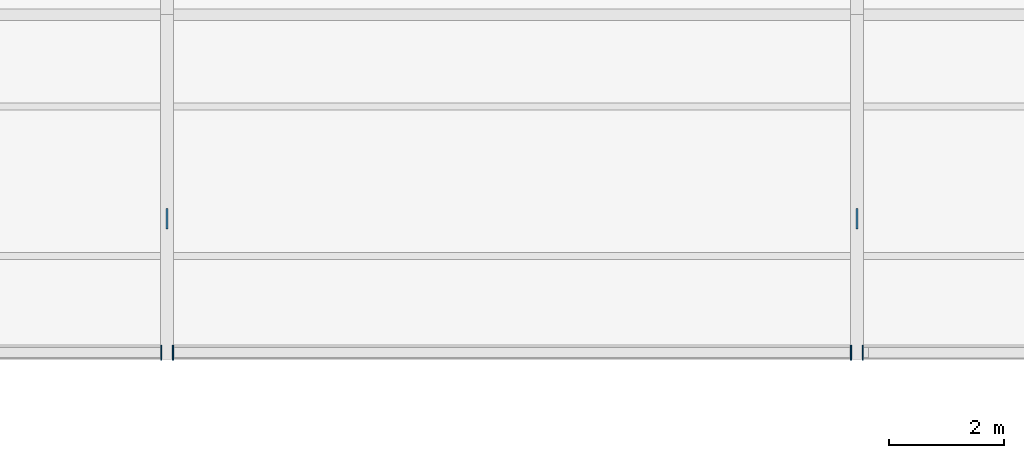
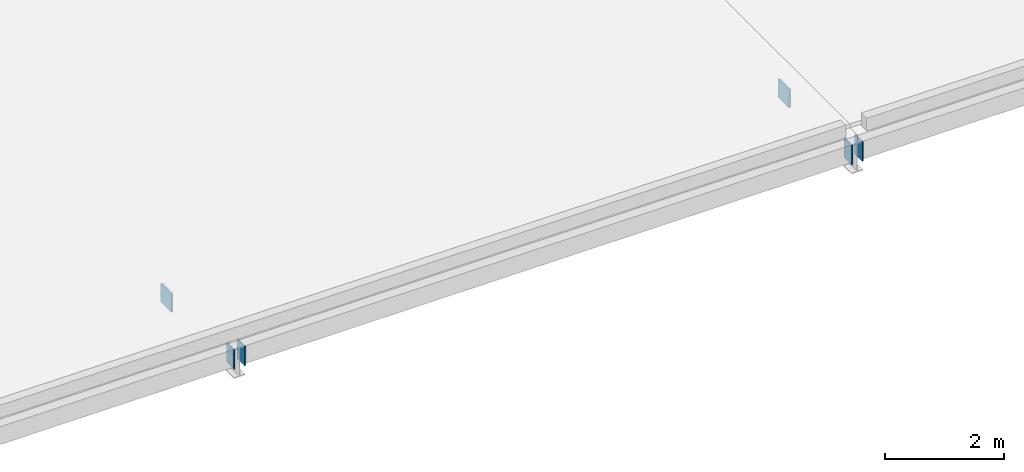
# One storey, part 133 of 159: 6 plates.
"""IFC4 building model written with IfcOpenShell, lengths in metres."""

from ifc_helpers import new_model, si_unit, direction, frame, origin, origin_2d, place, context, subcontext, project, spatial, rectangle, extrude, material, layer, layer_set, type_object, element, save


model = new_model("IFC4")

# Units and contexts
model_context = context("Model", 3, precision=1e-05, world=origin(), true_north=direction((0.0, 1.0)))
body_context = subcontext(model_context, "Body", "Model", "MODEL_VIEW")
ifc_project = project(units=[si_unit("LENGTHUNIT", "METRE"), si_unit("AREAUNIT", "SQUARE_METRE"), si_unit("VOLUMEUNIT", "CUBIC_METRE"), si_unit("PLANEANGLEUNIT", "RADIAN"), si_unit("MASSUNIT", "GRAM", prefix="KILO")], contexts=[model_context])

# Site, building, storey
site_placement = place(None, origin())
site = spatial("IfcSite", under=ifc_project, at=site_placement, CompositionType="ELEMENT")
building_placement = place(site_placement, origin())
building = spatial("IfcBuilding", under=site, at=building_placement, Name="Merenkruunu Market Hall", CompositionType="ELEMENT")
storey_placement = place(building_placement, frame((0.0, 0.0, 5.39990234375)))
storey = spatial("IfcBuildingStorey", under=building, at=storey_placement, Name="L01", CompositionType="ELEMENT", Elevation=5.39990234375)

# Plates
ifc_material = material(Name="Steel S355ML", Category="steel")
ifc_layer_1 = layer(ifc_material, 0.02001953125)
ifc_layer_set_1 = layer_set([ifc_layer_1], Name="Steel S355ML")
plate_type_1 = type_object("IfcPlateType", Name="Truss Gusset Or Cap Plate CP07", PredefinedType="USERDEFINED", material=ifc_layer_set_1)
for number, where, z_axis, x_axis, name in (
    (1, (112.697021484375, 0.1201171875, 0.03515625), (0.0, 0.0, 1.0), (1.0, 0.0, 0.0), "PLT-V6-ENDCAP-22"),
    (2, (112.903076171875, 0.1201171875, 0.03515625), (0.0, 0.0, 1.0), (1.0, 0.0, 0.0), "PLT-V6-ENDCAP-23"),
    (3, (124.697021484375, 0.1201171875, 0.03515625), (0.0, 0.0, 1.0), (1.0, 0.0, 0.0), "PLT-V6-ENDCAP-24"),
    (4, (124.903076171875, 0.1201171875, 0.03515625), (0.0, 0.0, 1.0), (1.0, 0.0, 0.0), "PLT-V6-ENDCAP-25"),
):
    element("IfcPlate", number, at=place(storey_placement, frame(where, z_axis=z_axis, x_axis=x_axis)), inside=storey, type_object=plate_type_1, Name=name, ObjectType="GUSSET_PLATE", PredefinedType="USERDEFINED", context=body_context, shape_type="SweptSolid", body=[
        extrude(rectangle(XDim=0.02001953125, YDim=0.260009765625, at=origin_2d()), origin(), (0.0, 0.0, 1.0), 0.39990234375),
    ])
ifc_layer_2 = layer(ifc_material, 0.035888671875)
ifc_layer_set_2 = layer_set([ifc_layer_2], Name="Steel S355ML")
plate_type_2 = type_object("IfcPlateType", Name="Truss Gusset Or Cap Plate CP08", PredefinedType="USERDEFINED", material=ifc_layer_set_2)
for number, where, z_axis, x_axis, name in (
    (5, (112.800048828125, 2.449951171875, -0.2099609375), (0.0, 0.0, 1.0), (1.0, 0.0, 0.0), "PLT-V6-STRUT-113-B"),
    (6, (124.800048828125, 2.449951171875, -0.2099609375), (0.0, 0.0, 1.0), (1.0, 0.0, 0.0), "PLT-V6-STRUT-125-B"),
):
    element("IfcPlate", number, at=place(storey_placement, frame(where, z_axis=z_axis, x_axis=x_axis)), inside=storey, type_object=plate_type_2, Name=name, ObjectType="GUSSET_PLATE", PredefinedType="USERDEFINED", context=body_context, shape_type="SweptSolid", body=[
        extrude(rectangle(XDim=0.035888671875, YDim=0.360107421875, at=origin_2d()), origin(), (0.0, 0.0, 1.0), 0.3798828125),
    ])

save(model, "model.ifc")
